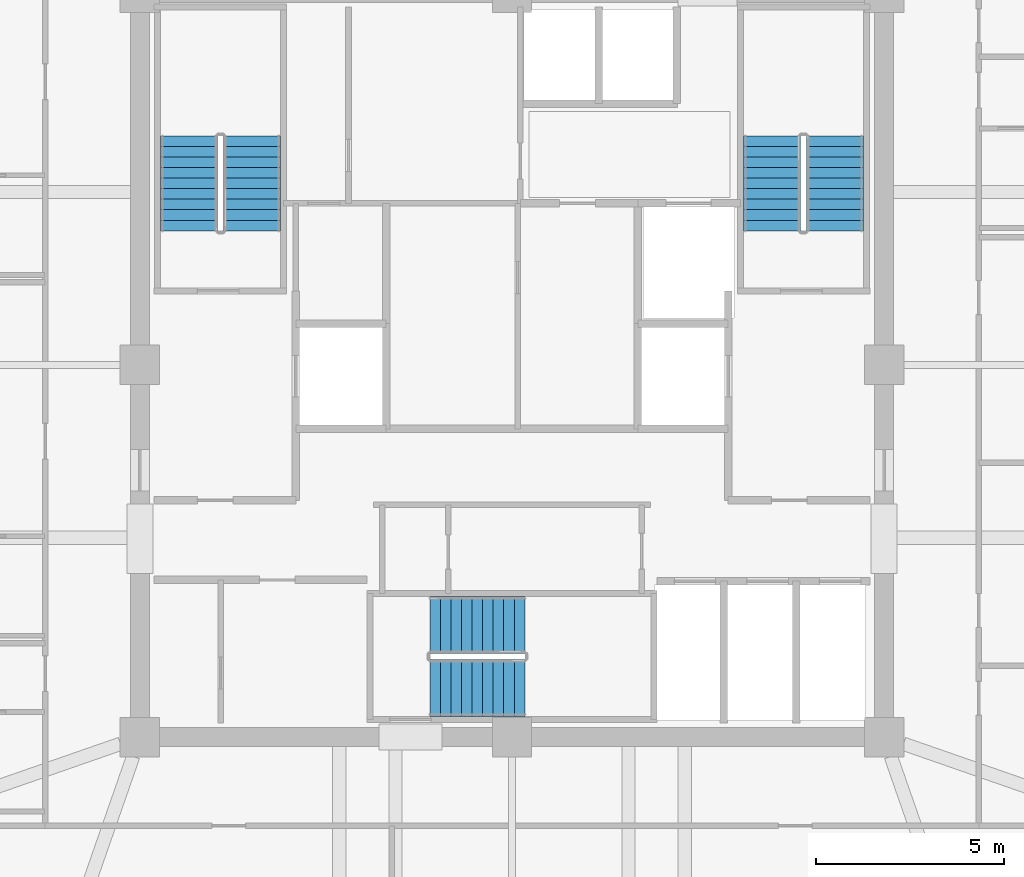
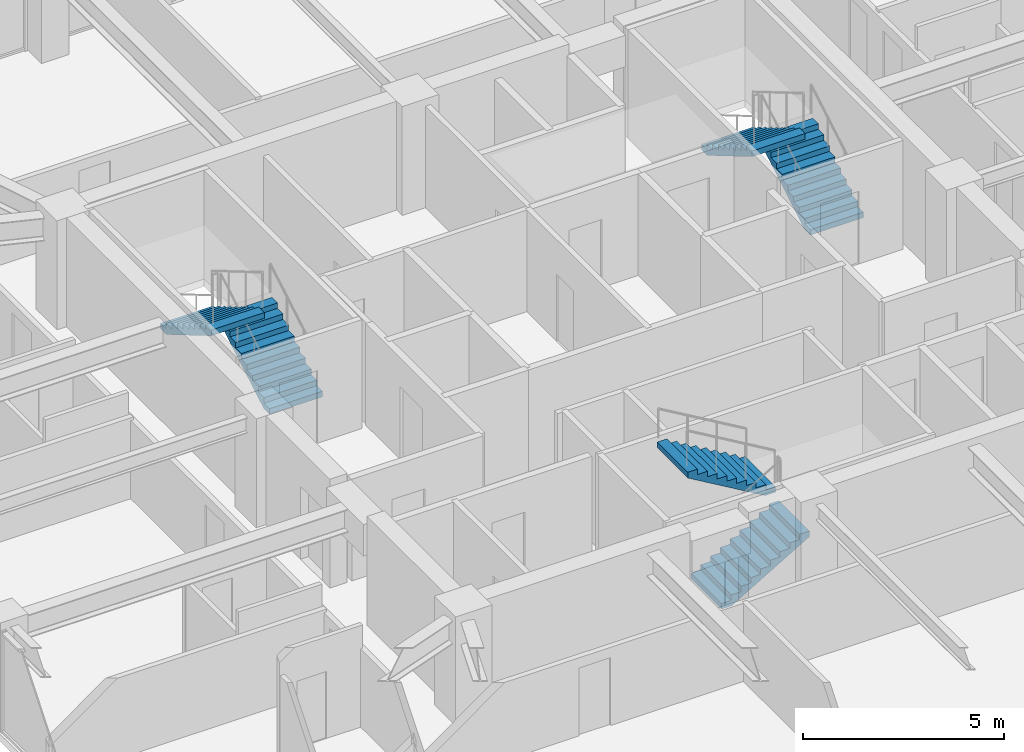
# One storey, part 34 of 36: 6 stair flights, 3 elements without a shape of their own.
"""IFC4 building model written with IfcOpenShell, lengths in metres."""

from ifc_helpers import new_model, si_unit, direction, frame, origin, place, context, subcontext, project, spatial, polyline, outline, extrude, material, type_object, element, aggregate, save


model = new_model("IFC4")

# Units and contexts
model_context = context("Model", 3, precision=1e-05, world=origin(), true_north=direction((0.0, 1.0)))
body_context = subcontext(model_context, "Body", "Model", "MODEL_VIEW")
ifc_project = project(units=[si_unit("LENGTHUNIT", "METRE"), si_unit("AREAUNIT", "SQUARE_METRE"), si_unit("VOLUMEUNIT", "CUBIC_METRE"), si_unit("PLANEANGLEUNIT", "RADIAN"), si_unit("MASSUNIT", "GRAM", prefix="KILO")], contexts=[model_context])

# Site, building, storey
site_placement = place(None, origin())
site = spatial("IfcSite", under=ifc_project, at=site_placement, CompositionType="ELEMENT")
building_placement = place(site_placement, origin())
building = spatial("IfcBuilding", under=site, at=building_placement, Name="Kolvaren Belvedere", CompositionType="ELEMENT")
storey_placement = place(building_placement, frame((0.0, 0.0, 196.5)))
storey = spatial("IfcBuildingStorey", under=building, at=storey_placement, Name="L57", CompositionType="ELEMENT", Elevation=196.5)

# Stair, stair flights
ifc_material_1 = material(Name="Concrete C50/60", Category="concrete")
stair_type = type_object("IfcStairType", Name="ST-CORE-1520", PredefinedType="HALF_TURN_STAIR", material=ifc_material_1)
stair_1_placement = place(storey_placement, origin())
stair_1 = element("IfcStair", 1, at=stair_1_placement, inside=storey, type_object=stair_type, Name="L57 Protected Exit Stair ST-1", PredefinedType="HALF_TURN_STAIR")
ifc_material_2 = material(Name="Concrete C50/60", Category="concrete")
stair_flight_type = type_object("IfcStairFlightType", Name="SF-STR-1520", PredefinedType="STRAIGHT", material=ifc_material_2)
stair_flight_1_placement = place(storey_placement, frame((-6.919921875, 3.570068359375, 0.0), z_axis=(0.0, 0.0, 1.0), x_axis=(0.0, 1.0, 0.0)))
stair_flight_1 = element("IfcStairFlight", 2, at=stair_flight_1_placement, type_object=stair_flight_type, Name="ST-1 flight 1", NumberOfRisers=10, NumberOfTreads=9, PredefinedType="STRAIGHT", RiserHeight=0.165, TreadLength=0.28, context=body_context, shape_type="SweptSolid", body=[
    extrude(outline(polyline([(0.0, 0.0), (0.0, 0.1650390625), (0.280029296875, 0.1650390625), (0.280029296875, 0.330078125), (0.56005859375, 0.330078125), (0.56005859375, 0.4951171875), (0.840087890625, 0.4951171875), (0.840087890625, 0.659912109375), (1.1201171875, 0.659912109375), (1.1201171875, 0.824951171875), (1.39990234375, 0.824951171875), (1.39990234375, 0.989990234375), (1.679931640625, 0.989990234375), (1.679931640625, 1.155029296875), (1.9599609375, 1.155029296875), (1.9599609375, 1.320068359375), (2.239990234375, 1.320068359375), (2.239990234375, 1.485107421875), (2.52001953125, 1.485107421875), (2.52001953125, 1.64990234375), (2.52001953125, 1.31103515625), (0.295166015625, 0.0), (0.0, 0.0)])), frame((0.0, 0.760009765625, 0.0), z_axis=(0.0, -1.0, 0.0), x_axis=(1.0, 0.0, 0.0)), (0.0, 0.0, 1.0), 1.52001953125),
])
stair_flight_2_placement = place(storey_placement, frame((-8.590087890625, 6.090087890625, 1.64990234375), z_axis=(0.0, 0.0, 1.0), x_axis=(0.0, -1.0, 0.0)))
stair_flight_2 = element("IfcStairFlight", 3, at=stair_flight_2_placement, type_object=stair_flight_type, Name="ST-1 flight 2", NumberOfRisers=10, NumberOfTreads=9, PredefinedType="STRAIGHT", RiserHeight=0.165, TreadLength=0.28, context=body_context, shape_type="SweptSolid", body=[
    extrude(outline(polyline([(0.0, 0.0), (0.0, 0.1650390625), (0.280029296875, 0.1650390625), (0.280029296875, 0.330078125), (0.56005859375, 0.330078125), (0.56005859375, 0.4951171875), (0.840087890625, 0.4951171875), (0.840087890625, 0.659912109375), (1.1201171875, 0.659912109375), (1.1201171875, 0.824951171875), (1.39990234375, 0.824951171875), (1.39990234375, 0.989990234375), (1.679931640625, 0.989990234375), (1.679931640625, 1.155029296875), (1.9599609375, 1.155029296875), (1.9599609375, 1.320068359375), (2.239990234375, 1.320068359375), (2.239990234375, 1.485107421875), (2.52001953125, 1.485107421875), (2.52001953125, 1.64990234375), (2.52001953125, 1.31103515625), (0.295166015625, 0.0), (0.0, 0.0)])), frame((0.0, 0.760009765625, 0.0), z_axis=(0.0, -1.0, 0.0), x_axis=(1.0, 0.0, 0.0)), (0.0, 0.0, 1.0), 1.52001953125),
])
aggregate(stair_1, [stair_flight_1, stair_flight_2])

stair_2_placement = place(storey_placement, origin())
stair_2 = element("IfcStair", 4, at=stair_2_placement, inside=storey, type_object=stair_type, Name="L57 Protected Exit Stair ST-2", PredefinedType="HALF_TURN_STAIR")
stair_flight_3_placement = place(storey_placement, frame((8.590087890625, 3.570068359375, 0.0), z_axis=(0.0, 0.0, 1.0), x_axis=(0.0, 1.0, 0.0)))
stair_flight_3 = element("IfcStairFlight", 5, at=stair_flight_3_placement, type_object=stair_flight_type, Name="ST-2 flight 1", NumberOfRisers=10, NumberOfTreads=9, PredefinedType="STRAIGHT", RiserHeight=0.165, TreadLength=0.28, context=body_context, shape_type="SweptSolid", body=[
    extrude(outline(polyline([(0.0, 0.0), (0.0, 0.1650390625), (0.280029296875, 0.1650390625), (0.280029296875, 0.330078125), (0.56005859375, 0.330078125), (0.56005859375, 0.4951171875), (0.840087890625, 0.4951171875), (0.840087890625, 0.659912109375), (1.1201171875, 0.659912109375), (1.1201171875, 0.824951171875), (1.39990234375, 0.824951171875), (1.39990234375, 0.989990234375), (1.679931640625, 0.989990234375), (1.679931640625, 1.155029296875), (1.9599609375, 1.155029296875), (1.9599609375, 1.320068359375), (2.239990234375, 1.320068359375), (2.239990234375, 1.485107421875), (2.52001953125, 1.485107421875), (2.52001953125, 1.64990234375), (2.52001953125, 1.31103515625), (0.295166015625, 0.0), (0.0, 0.0)])), frame((0.0, 0.760009765625, 0.0), z_axis=(0.0, -1.0, 0.0), x_axis=(1.0, 0.0, 0.0)), (0.0, 0.0, 1.0), 1.52001953125),
])
stair_flight_4_placement = place(storey_placement, frame((6.919921875, 6.090087890625, 1.64990234375), z_axis=(0.0, 0.0, 1.0), x_axis=(0.0, -1.0, 0.0)))
stair_flight_4 = element("IfcStairFlight", 6, at=stair_flight_4_placement, type_object=stair_flight_type, Name="ST-2 flight 2", NumberOfRisers=10, NumberOfTreads=9, PredefinedType="STRAIGHT", RiserHeight=0.165, TreadLength=0.28, context=body_context, shape_type="SweptSolid", body=[
    extrude(outline(polyline([(0.0, 0.0), (0.0, 0.1650390625), (0.280029296875, 0.1650390625), (0.280029296875, 0.330078125), (0.56005859375, 0.330078125), (0.56005859375, 0.4951171875), (0.840087890625, 0.4951171875), (0.840087890625, 0.659912109375), (1.1201171875, 0.659912109375), (1.1201171875, 0.824951171875), (1.39990234375, 0.824951171875), (1.39990234375, 0.989990234375), (1.679931640625, 0.989990234375), (1.679931640625, 1.155029296875), (1.9599609375, 1.155029296875), (1.9599609375, 1.320068359375), (2.239990234375, 1.320068359375), (2.239990234375, 1.485107421875), (2.52001953125, 1.485107421875), (2.52001953125, 1.64990234375), (2.52001953125, 1.31103515625), (0.295166015625, 0.0), (0.0, 0.0)])), frame((0.0, 0.760009765625, 0.0), z_axis=(0.0, -1.0, 0.0), x_axis=(1.0, 0.0, 0.0)), (0.0, 0.0, 1.0), 1.52001953125),
])
aggregate(stair_2, [stair_flight_3, stair_flight_4])

stair_3_placement = place(storey_placement, origin())
stair_3 = element("IfcStair", 7, at=stair_3_placement, inside=storey, type_object=stair_type, Name="L57 Protected Exit Stair ST-3", PredefinedType="HALF_TURN_STAIR")
stair_flight_5_placement = place(storey_placement, frame((-2.179931640625, -8.590087890625, 0.0), z_axis=(0.0, 0.0, 1.0), x_axis=(1.0, 0.0, 0.0)))
stair_flight_5 = element("IfcStairFlight", 8, at=stair_flight_5_placement, type_object=stair_flight_type, Name="ST-3 flight 1", NumberOfRisers=10, NumberOfTreads=9, PredefinedType="STRAIGHT", RiserHeight=0.165, TreadLength=0.28, context=body_context, shape_type="SweptSolid", body=[
    extrude(outline(polyline([(0.0, 0.0), (0.0, 0.1650390625), (0.280029296875, 0.1650390625), (0.280029296875, 0.330078125), (0.56005859375, 0.330078125), (0.56005859375, 0.4951171875), (0.840087890625, 0.4951171875), (0.840087890625, 0.659912109375), (1.1201171875, 0.659912109375), (1.1201171875, 0.824951171875), (1.39990234375, 0.824951171875), (1.39990234375, 0.989990234375), (1.679931640625, 0.989990234375), (1.679931640625, 1.155029296875), (1.9599609375, 1.155029296875), (1.9599609375, 1.320068359375), (2.239990234375, 1.320068359375), (2.239990234375, 1.485107421875), (2.52001953125, 1.485107421875), (2.52001953125, 1.64990234375), (2.52001953125, 1.31103515625), (0.295166015625, 0.0), (0.0, 0.0)])), frame((0.0, 0.760009765625, 0.0), z_axis=(0.0, -1.0, 0.0), x_axis=(1.0, 0.0, 0.0)), (0.0, 0.0, 1.0), 1.52001953125),
])
stair_flight_6_placement = place(storey_placement, frame((0.340087890625, -6.919921875, 1.64990234375), z_axis=(0.0, 0.0, 1.0), x_axis=(-1.0, 0.0, 0.0)))
stair_flight_6 = element("IfcStairFlight", 9, at=stair_flight_6_placement, type_object=stair_flight_type, Name="ST-3 flight 2", NumberOfRisers=10, NumberOfTreads=9, PredefinedType="STRAIGHT", RiserHeight=0.165, TreadLength=0.28, context=body_context, shape_type="SweptSolid", body=[
    extrude(outline(polyline([(0.0, 0.0), (0.0, 0.1650390625), (0.280029296875, 0.1650390625), (0.280029296875, 0.330078125), (0.56005859375, 0.330078125), (0.56005859375, 0.4951171875), (0.840087890625, 0.4951171875), (0.840087890625, 0.659912109375), (1.1201171875, 0.659912109375), (1.1201171875, 0.824951171875), (1.39990234375, 0.824951171875), (1.39990234375, 0.989990234375), (1.679931640625, 0.989990234375), (1.679931640625, 1.155029296875), (1.9599609375, 1.155029296875), (1.9599609375, 1.320068359375), (2.239990234375, 1.320068359375), (2.239990234375, 1.485107421875), (2.52001953125, 1.485107421875), (2.52001953125, 1.64990234375), (2.52001953125, 1.31103515625), (0.295166015625, 0.0), (0.0, 0.0)])), frame((0.0, 0.760009765625, 0.0), z_axis=(0.0, -1.0, 0.0), x_axis=(1.0, 0.0, 0.0)), (0.0, 0.0, 1.0), 1.52001953125),
])
aggregate(stair_3, [stair_flight_5, stair_flight_6])

save(model, "model.ifc")
